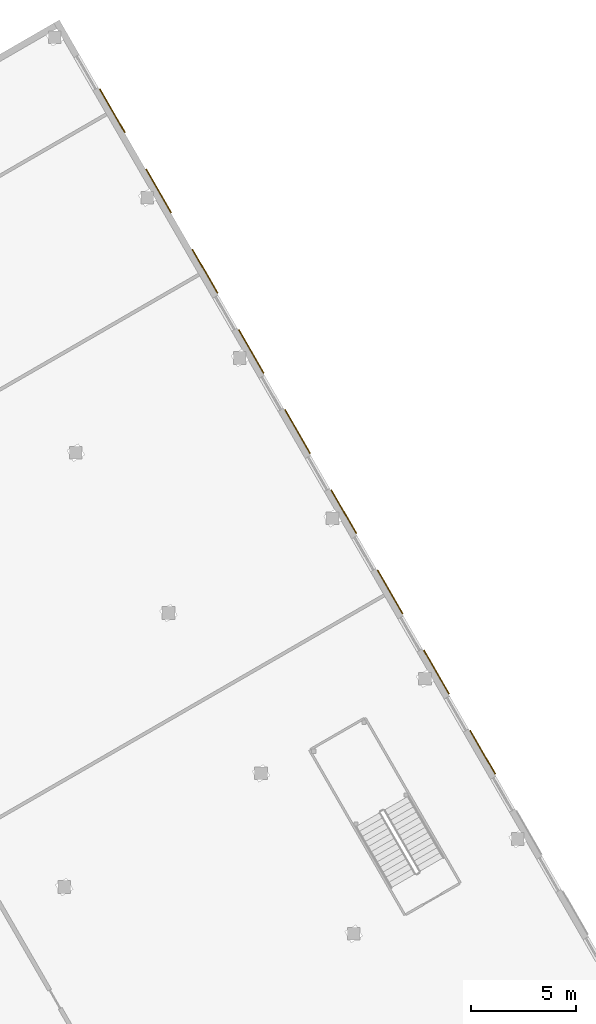
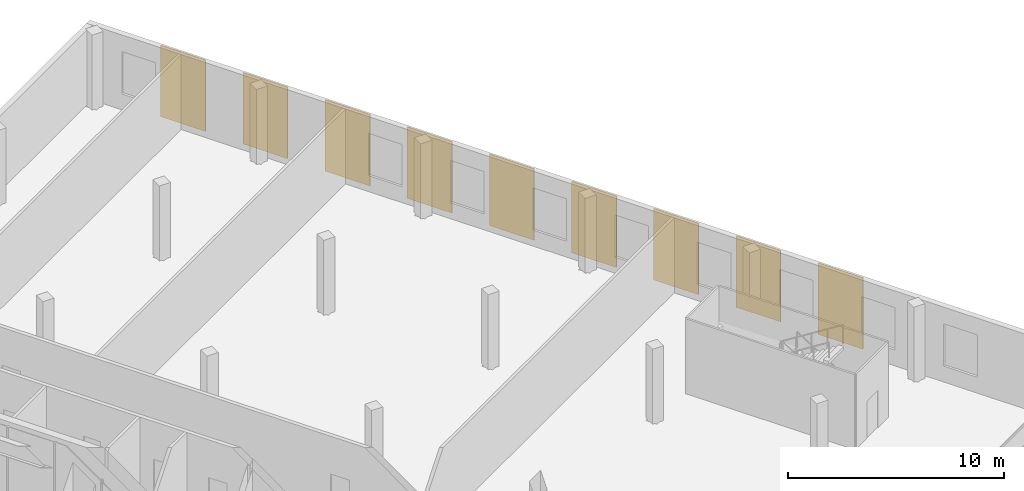
# One storey, part 28 of 29: 9 coverings.
"""IFC4 building model written with IfcOpenShell, lengths in metres."""

from ifc_helpers import new_model, si_unit, direction, frame, origin, origin_2d, place, context, subcontext, project, spatial, rectangle, extrude, material, layer, layer_set, type_object, element, save


model = new_model("IFC4")

# Units and contexts
model_context = context("Model", 3, precision=1e-05, world=origin(), true_north=direction((0.0, 1.0)))
body_context = subcontext(model_context, "Body", "Model", "MODEL_VIEW")
ifc_project = project(units=[si_unit("LENGTHUNIT", "METRE"), si_unit("AREAUNIT", "SQUARE_METRE"), si_unit("VOLUMEUNIT", "CUBIC_METRE"), si_unit("PLANEANGLEUNIT", "RADIAN"), si_unit("MASSUNIT", "GRAM", prefix="KILO")], contexts=[model_context])

# Site, building, storey
site_placement = place(None, origin())
site = spatial("IfcSite", under=ifc_project, at=site_placement, CompositionType="ELEMENT")
building_placement = place(site_placement, origin())
building = spatial("IfcBuilding", under=site, at=building_placement, Name="Firuza Gate Tower and Library", CompositionType="ELEMENT")
storey_placement = place(building_placement, frame((0.0, 0.0, 17.199951171875)))
storey = spatial("IfcBuildingStorey", under=building, at=storey_placement, Name="L03", CompositionType="ELEMENT", Elevation=17.199951171875)

# Coverings
ifc_material_1 = material(Name="Turquoise glazed ceramic tile")
ifc_layer_1 = layer(ifc_material_1, 0.050048828125)
ifc_layer_set_1 = layer_set([ifc_layer_1], Name="LIB TILE CLADDING")
covering_type_1 = type_object("IfcCoveringType", Name="LIB TILE CLADDING", PredefinedType="CLADDING", material=ifc_layer_set_1)
for number, where, z_axis, x_axis, name in (
    (1, (126.035400390625, 89.223388671875, 0.10009765625), (0.0, 0.0, 1.0), (-0.5, 0.866025403784, 0.0), "L03 TILE panel 3"),
    (2, (121.635498046875, 96.84423828125, 0.10009765625), (0.0, 0.0, 1.0), (-0.5, 0.866025403784, 0.0), "L03 TILE panel 5"),
    (3, (117.2353515625, 104.46533203125, 0.10009765625), (0.0, 0.0, 1.0), (-0.5, 0.866025403784, 0.0), "L03 TILE panel 7"),
    (4, (112.83544921875, 112.086181640625, 0.10009765625), (0.0, 0.0, 1.0), (-0.5, 0.866025403784, 0.0), "L03 TILE panel 9"),
    (5, (108.435302734375, 119.70751953125, 0.10009765625), (0.0, 0.0, 1.0), (-0.5, 0.866025403784, 0.0), "L03 TILE panel 11"),
):
    element("IfcCovering", number, at=place(storey_placement, frame(where, z_axis=z_axis, x_axis=x_axis)), inside=storey, type_object=covering_type_1, Name=name, PredefinedType="CLADDING", context=body_context, shape_type="SweptSolid", body=[
        extrude(rectangle(XDim=2.39990234375, YDim=0.050048828125, at=origin_2d()), origin(), (0.0, 0.0, 1.0), 4.0400390625),
    ])
ifc_material_2 = material(Name="Cobalt glazed ceramic tile")
ifc_layer_2 = layer(ifc_material_2, 0.050048828125)
ifc_layer_set_2 = layer_set([ifc_layer_2], Name="LIB TILE CLADDING COBALT")
covering_type_2 = type_object("IfcCoveringType", Name="LIB TILE CLADDING COBALT", PredefinedType="CLADDING", material=ifc_layer_set_2)
for number, where, z_axis, x_axis, name in (
    (6, (123.83544921875, 93.03369140625, 0.10009765625), (0.0, 0.0, 1.0), (-0.5, 0.866025403784, 0.0), "L03 TILE panel 4"),
    (7, (119.435302734375, 100.65478515625, 0.10009765625), (0.0, 0.0, 1.0), (-0.5, 0.866025403784, 0.0), "L03 TILE panel 6"),
    (8, (115.035400390625, 108.27587890625, 0.10009765625), (0.0, 0.0, 1.0), (-0.5, 0.866025403784, 0.0), "L03 TILE panel 8"),
    (9, (110.635498046875, 115.89697265625, 0.10009765625), (0.0, 0.0, 1.0), (-0.5, 0.866025403784, 0.0), "L03 TILE panel 10"),
):
    element("IfcCovering", number, at=place(storey_placement, frame(where, z_axis=z_axis, x_axis=x_axis)), inside=storey, type_object=covering_type_2, Name=name, PredefinedType="CLADDING", context=body_context, shape_type="SweptSolid", body=[
        extrude(rectangle(XDim=2.39990234375, YDim=0.050048828125, at=origin_2d()), origin(), (0.0, 0.0, 1.0), 4.0400390625),
    ])

save(model, "model.ifc")
